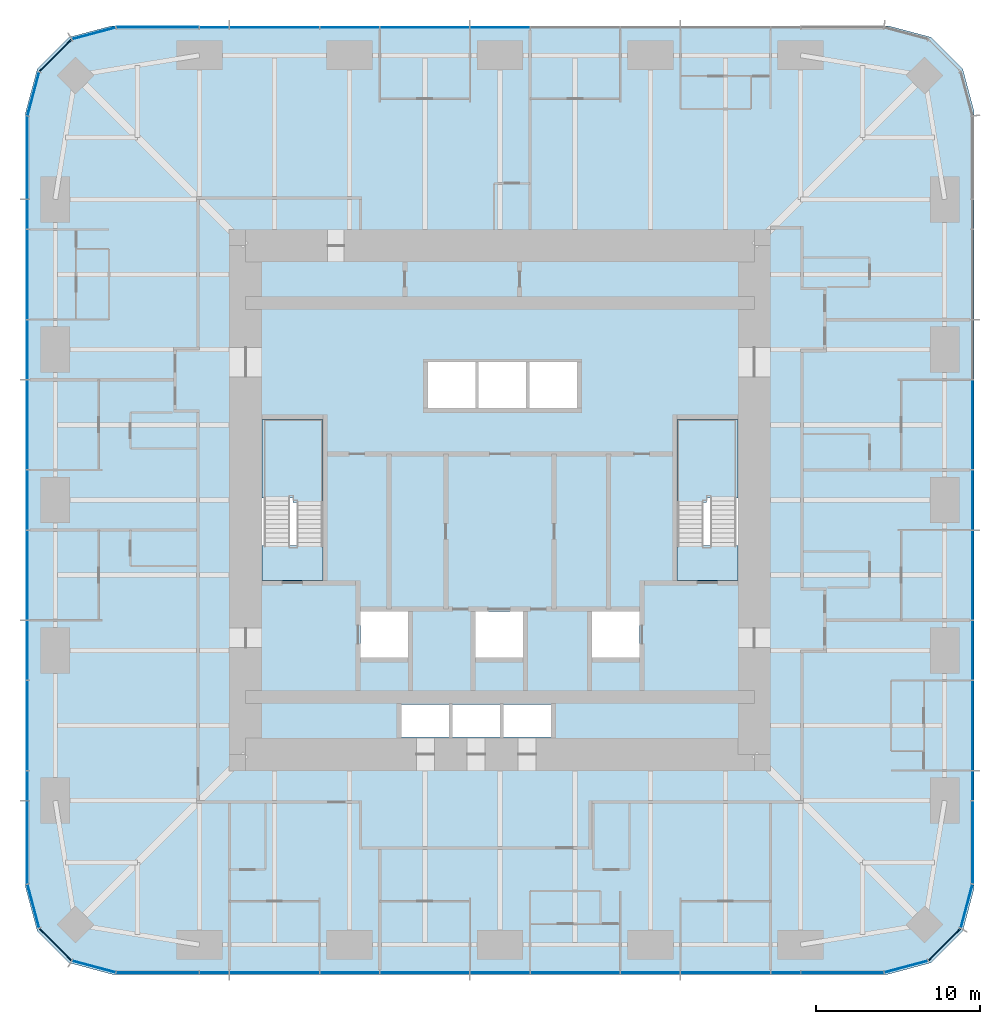
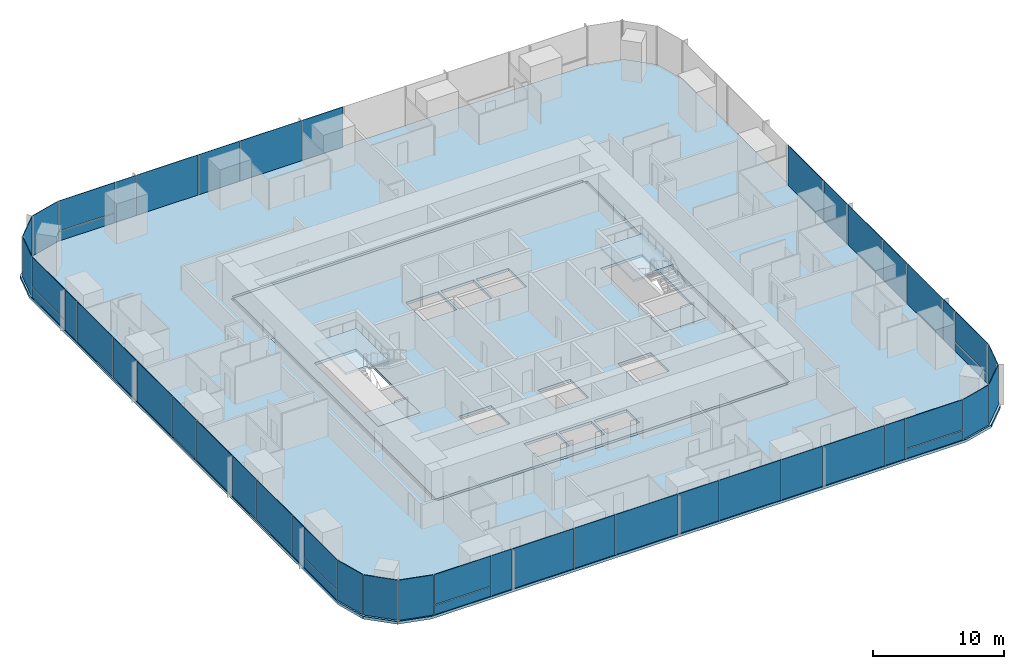
# One storey, part 7 of 13: 50 plates, 6 slabs, 9 elements without a shape of their own.
"""IFC4 building model written with IfcOpenShell, lengths in metres."""

from ifc_helpers import new_model, si_unit, direction, frame, origin, origin_2d, place, context, subcontext, project, spatial, polyline, rectangle, outline, extrude, material, layer, layer_set, type_object, element, aggregate, save


model = new_model("IFC4")

# Units and contexts
model_context = context("Model", 3, precision=1e-05, world=origin(), true_north=direction((0.0, 1.0)))
body_context = subcontext(model_context, "Body", "Model", "MODEL_VIEW")
ifc_project = project(units=[si_unit("LENGTHUNIT", "METRE"), si_unit("AREAUNIT", "SQUARE_METRE"), si_unit("VOLUMEUNIT", "CUBIC_METRE"), si_unit("PLANEANGLEUNIT", "RADIAN"), si_unit("MASSUNIT", "GRAM", prefix="KILO")], contexts=[model_context])

# Site, building, storey
site_placement = place(None, origin())
site = spatial("IfcSite", under=ifc_project, at=site_placement, CompositionType="ELEMENT")
building_placement = place(site_placement, origin())
building = spatial("IfcBuilding", under=site, at=building_placement, Name="Khuree Lantern Residences", CompositionType="ELEMENT")
storey_placement = place(building_placement, frame((0.0, 0.0, 137.25)))
storey = spatial("IfcBuildingStorey", under=building, at=storey_placement, Name="L34", CompositionType="ELEMENT", Elevation=137.25)

# Slab
ifc_material_1 = material(Name="Concrete C35/45", Category="concrete")
ifc_layer_1 = layer(ifc_material_1, 0.25)
ifc_layer_set_1 = layer_set([ifc_layer_1], Name="CFL250 CORE FLOOR SLAB 250")
slab_type_1 = type_object("IfcSlabType", Name="CFL250 CORE FLOOR SLAB 250", PredefinedType="FLOOR", material=ifc_layer_set_1)
slab_1_placement = place(storey_placement, frame((0.0, 0.0, -0.25)))
element("IfcSlab", 1, at=slab_1_placement, inside=storey, type_object=slab_type_1, Name="Core floor L34", PredefinedType="FLOOR", context=body_context, shape_type="SweptSolid", body=[
    extrude(outline(polyline([(-15.5, -15.5), (-15.5, 15.5), (15.5, 15.5), (15.5, -15.5), (-15.5, -15.5)]), holes=[polyline([(10.800048828125, 4.89990234375), (10.800048828125, -4.89990234375), (14.5, -4.89990234375), (14.5, 4.89990234375), (10.800048828125, 4.89990234375)]), polyline([(8.5, -6.800048828125), (5.60009765625, -6.800048828125), (5.60009765625, -9.60009765625), (8.5, -9.60009765625), (8.5, -6.800048828125)]), polyline([(4.699951171875, 8.39990234375), (1.800048828125, 8.39990234375), (1.800048828125, 5.60009765625), (4.699951171875, 5.60009765625), (4.699951171875, 8.39990234375)]), polyline([(3.10009765625, -12.449951171875), (0.199951171875, -12.449951171875), (0.199951171875, -14.449951171875), (3.10009765625, -14.449951171875), (3.10009765625, -12.449951171875)]), polyline([(1.60009765625, 8.39990234375), (-1.300048828125, 8.39990234375), (-1.300048828125, 5.60009765625), (1.60009765625, 5.60009765625), (1.60009765625, 8.39990234375)]), polyline([(1.39990234375, -6.800048828125), (-1.5, -6.800048828125), (-1.5, -9.60009765625), (1.39990234375, -9.60009765625), (1.39990234375, -6.800048828125)]), polyline([(-2.89990234375, -12.449951171875), (-2.89990234375, -14.449951171875), (0.0, -14.449951171875), (0.0, -12.449951171875), (-2.89990234375, -12.449951171875)]), polyline([(-4.39990234375, 8.39990234375), (-4.39990234375, 5.60009765625), (-1.5, 5.60009765625), (-1.5, 8.39990234375), (-4.39990234375, 8.39990234375)]), polyline([(-6.0, -12.449951171875), (-6.0, -14.449951171875), (-3.10009765625, -14.449951171875), (-3.10009765625, -12.449951171875), (-6.0, -12.449951171875)]), polyline([(-8.5, -6.800048828125), (-8.5, -9.60009765625), (-5.60009765625, -9.60009765625), (-5.60009765625, -6.800048828125), (-8.5, -6.800048828125)]), polyline([(-10.800048828125, 4.89990234375), (-14.5, 4.89990234375), (-14.5, -4.89990234375), (-10.800048828125, -4.89990234375), (-10.800048828125, 4.89990234375)])]), origin(), (0.0, 0.0, 1.0), 0.25),
])

# Curtain wall, plates
ifc_material_2 = material(Name="Bronze anodised aluminium", Category="aluminium")
curtain_wall_type_1 = type_object("IfcCurtainWallType", Name="CW-T2 TOWER CORNER CURTAIN WALL", PredefinedType="USERDEFINED", material=ifc_material_2)
curtain_wall_1_placement = place(storey_placement, origin())
curtain_wall_1 = element("IfcCurtainWall", 2, at=curtain_wall_1_placement, inside=storey, type_object=curtain_wall_type_1, Name="L34 SOUTH-EAST CORNER CURTAIN WALL", ObjectType="Faceted corner curtain wall", PredefinedType="USERDEFINED")
ifc_material_3 = material(Name="Bronze tinted triple glazing", Category="glass")
ifc_layer_2 = layer(ifc_material_3, 0.048095703125)
ifc_layer_set_2 = layer_set([ifc_layer_2], Name="FACET PANEL P4")
plate_type_1 = type_object("IfcPlateType", Name="FACET PANEL P4", PredefinedType="CURTAIN_PANEL", material=ifc_layer_set_2)
plate_1_placement = place(storey_placement, frame((24.748046875, -28.438720703125, 0.0), z_axis=(0.0, 0.0, 1.0), x_axis=(0.965925810153, 0.258819105321, 0.0)))
plate_1 = element("IfcPlate", 3, at=plate_1_placement, type_object=plate_type_1, Name="L34 SOUTH-EAST CORNER PANEL 1.1", PredefinedType="CURTAIN_PANEL", context=body_context, shape_type="SweptSolid", body=[
    extrude(rectangle(XDim=2.71923828125, YDim=0.048095703125, at=origin_2d()), origin(), (0.0, 0.0, 1.0), 3.75),
])
plate_2_placement = place(storey_placement, frame((27.08837890625, -27.08837890625, 0.0), z_axis=(0.0, 0.0, 1.0), x_axis=(0.707106781187, 0.707106781187, 0.0)))
plate_2 = element("IfcPlate", 4, at=plate_2_placement, type_object=plate_type_1, Name="L34 SOUTH-EAST CORNER PANEL 2.1", PredefinedType="CURTAIN_PANEL", context=body_context, shape_type="SweptSolid", body=[
    extrude(rectangle(XDim=2.715087890625, YDim=0.048095703125, at=origin_2d()), origin(), (0.0, 0.0, 1.0), 3.75),
])
plate_3_placement = place(storey_placement, frame((28.438720703125, -24.748046875, 0.0), z_axis=(0.0, 0.0, 1.0), x_axis=(0.258819105321, 0.965925810153, 0.0)))
plate_3 = element("IfcPlate", 5, at=plate_3_placement, type_object=plate_type_1, Name="L34 SOUTH-EAST CORNER PANEL 3.1", PredefinedType="CURTAIN_PANEL", context=body_context, shape_type="SweptSolid", body=[
    extrude(rectangle(XDim=2.71923828125, YDim=0.048095703125, at=origin_2d()), origin(), (0.0, 0.0, 1.0), 3.75),
])
aggregate(curtain_wall_1, [plate_1, plate_2, plate_3])

curtain_wall_2_placement = place(storey_placement, origin())
curtain_wall_2 = element("IfcCurtainWall", 6, at=curtain_wall_2_placement, inside=storey, type_object=curtain_wall_type_1, Name="L34 NORTH-WEST CORNER CURTAIN WALL", ObjectType="Faceted corner curtain wall", PredefinedType="USERDEFINED")
plate_4_placement = place(storey_placement, frame((-24.748046875, 28.438720703125, 0.0), z_axis=(0.0, 0.0, 1.0), x_axis=(-0.965925810153, -0.258819105321, 0.0)))
plate_4 = element("IfcPlate", 7, at=plate_4_placement, type_object=plate_type_1, Name="L34 NORTH-WEST CORNER PANEL 29.1", PredefinedType="CURTAIN_PANEL", context=body_context, shape_type="SweptSolid", body=[
    extrude(rectangle(XDim=2.71923828125, YDim=0.048095703125, at=origin_2d()), origin(), (0.0, 0.0, 1.0), 3.75),
])
plate_5_placement = place(storey_placement, frame((-27.08837890625, 27.08837890625, 0.0), z_axis=(0.0, 0.0, 1.0), x_axis=(-0.707106781187, -0.707106781187, 0.0)))
plate_5 = element("IfcPlate", 8, at=plate_5_placement, type_object=plate_type_1, Name="L34 NORTH-WEST CORNER PANEL 30.1", PredefinedType="CURTAIN_PANEL", context=body_context, shape_type="SweptSolid", body=[
    extrude(rectangle(XDim=2.715087890625, YDim=0.048095703125, at=origin_2d()), origin(), (0.0, 0.0, 1.0), 3.75),
])
plate_6_placement = place(storey_placement, frame((-28.438720703125, 24.748046875, 0.0), z_axis=(0.0, 0.0, 1.0), x_axis=(-0.258819105321, -0.965925810153, 0.0)))
plate_6 = element("IfcPlate", 9, at=plate_6_placement, type_object=plate_type_1, Name="L34 NORTH-WEST CORNER PANEL 31.1", PredefinedType="CURTAIN_PANEL", context=body_context, shape_type="SweptSolid", body=[
    extrude(rectangle(XDim=2.71923828125, YDim=0.048095703125, at=origin_2d()), origin(), (0.0, 0.0, 1.0), 3.75),
])
aggregate(curtain_wall_2, [plate_4, plate_5, plate_6])

curtain_wall_3_placement = place(storey_placement, origin())
curtain_wall_3 = element("IfcCurtainWall", 10, at=curtain_wall_3_placement, inside=storey, type_object=curtain_wall_type_1, Name="L34 SOUTH-WEST CORNER CURTAIN WALL", ObjectType="Faceted corner curtain wall", PredefinedType="USERDEFINED")
plate_7_placement = place(storey_placement, frame((-28.438720703125, -24.748046875, 0.0), z_axis=(0.0, 0.0, 1.0), x_axis=(0.258819105321, -0.965925810153, 0.0)))
plate_7 = element("IfcPlate", 11, at=plate_7_placement, type_object=plate_type_1, Name="L34 SOUTH-WEST CORNER PANEL 43.1", PredefinedType="CURTAIN_PANEL", context=body_context, shape_type="SweptSolid", body=[
    extrude(rectangle(XDim=2.71923828125, YDim=0.048095703125, at=origin_2d()), origin(), (0.0, 0.0, 1.0), 3.75),
])
plate_8_placement = place(storey_placement, frame((-27.08837890625, -27.08837890625, 0.0), z_axis=(0.0, 0.0, 1.0), x_axis=(0.707106781187, -0.707106781187, 0.0)))
plate_8 = element("IfcPlate", 12, at=plate_8_placement, type_object=plate_type_1, Name="L34 SOUTH-WEST CORNER PANEL 44.1", PredefinedType="CURTAIN_PANEL", context=body_context, shape_type="SweptSolid", body=[
    extrude(rectangle(XDim=2.715087890625, YDim=0.048095703125, at=origin_2d()), origin(), (0.0, 0.0, 1.0), 3.75),
])
plate_9_placement = place(storey_placement, frame((-24.748046875, -28.438720703125, 0.0), z_axis=(0.0, 0.0, 1.0), x_axis=(0.965925810153, -0.258819105321, 0.0)))
plate_9 = element("IfcPlate", 13, at=plate_9_placement, type_object=plate_type_1, Name="L34 SOUTH-WEST CORNER PANEL 45.1", PredefinedType="CURTAIN_PANEL", context=body_context, shape_type="SweptSolid", body=[
    extrude(rectangle(XDim=2.71923828125, YDim=0.048095703125, at=origin_2d()), origin(), (0.0, 0.0, 1.0), 3.75),
])
aggregate(curtain_wall_3, [plate_7, plate_8, plate_9])

curtain_wall_type_2 = type_object("IfcCurtainWallType", Name="CW-T1 TOWER FACE CURTAIN WALL", PredefinedType="USERDEFINED", material=ifc_material_2)
curtain_wall_4_placement = place(storey_placement, origin())
curtain_wall_4 = element("IfcCurtainWall", 14, at=curtain_wall_4_placement, inside=storey, type_object=curtain_wall_type_2, Name="L34 EAST FACE CURTAIN WALL", ObjectType="Stick-built curtain wall", PredefinedType="USERDEFINED")
ifc_material_4 = material(Name="Bronze tinted triple glazing with a ceramic-fritted spandrel band", Category="glass")
ifc_layer_3 = layer(ifc_material_4, 0.048095703125)
ifc_layer_set_3 = layer_set([ifc_layer_3], Name="FIXED LIGHT PANEL P11")
plate_type_2 = type_object("IfcPlateType", Name="FIXED LIGHT PANEL P11", PredefinedType="CURTAIN_PANEL", material=ifc_layer_set_3)
plate_10_placement = place(storey_placement, frame((28.800048828125, -13.739990234375, 0.0), z_axis=(0.0, 0.0, 1.0), x_axis=(0.0, 1.0, 0.0)))
plate_10 = element("IfcPlate", 15, at=plate_10_placement, type_object=plate_type_2, Name="L34 EAST FACE PANEL 6.1", PredefinedType="CURTAIN_PANEL", context=body_context, shape_type="SweptSolid", body=[
    extrude(rectangle(XDim=5.430908203125, YDim=0.048095703125, at=origin_2d()), origin(), (0.0, 0.0, 1.0), 3.75),
])
plate_11_placement = place(storey_placement, frame((28.800048828125, -4.580078125, 0.0), z_axis=(0.0, 0.0, 1.0), x_axis=(0.0, 1.0, 0.0)))
plate_11 = element("IfcPlate", 16, at=plate_11_placement, type_object=plate_type_2, Name="L34 EAST FACE PANEL 8.1", PredefinedType="CURTAIN_PANEL", context=body_context, shape_type="SweptSolid", body=[
    extrude(rectangle(XDim=5.430908203125, YDim=0.048095703125, at=origin_2d()), origin(), (0.0, 0.0, 1.0), 3.75),
])
plate_12_placement = place(storey_placement, frame((28.800048828125, 4.580078125, 0.0), z_axis=(0.0, 0.0, 1.0), x_axis=(0.0, 1.0, 0.0)))
plate_12 = element("IfcPlate", 17, at=plate_12_placement, type_object=plate_type_2, Name="L34 EAST FACE PANEL 10.1", PredefinedType="CURTAIN_PANEL", context=body_context, shape_type="SweptSolid", body=[
    extrude(rectangle(XDim=5.430908203125, YDim=0.048095703125, at=origin_2d()), origin(), (0.0, 0.0, 1.0), 3.75),
])

curtain_wall_5_placement = place(storey_placement, origin())
curtain_wall_5 = element("IfcCurtainWall", 18, at=curtain_wall_5_placement, inside=storey, type_object=curtain_wall_type_2, Name="L34 NORTH FACE CURTAIN WALL", ObjectType="Stick-built curtain wall", PredefinedType="USERDEFINED")
plate_13_placement = place(storey_placement, frame((-4.580078125, 28.800048828125, 0.0), z_axis=(0.0, 0.0, 1.0), x_axis=(-1.0, 0.0, 0.0)))
plate_13 = element("IfcPlate", 19, at=plate_13_placement, type_object=plate_type_2, Name="L34 NORTH FACE PANEL 24.1", PredefinedType="CURTAIN_PANEL", context=body_context, shape_type="SweptSolid", body=[
    extrude(rectangle(XDim=5.430908203125, YDim=0.048095703125, at=origin_2d()), origin(), (0.0, 0.0, 1.0), 3.75),
])
plate_14_placement = place(storey_placement, frame((-13.739990234375, 28.800048828125, 0.0), z_axis=(0.0, 0.0, 1.0), x_axis=(-1.0, 0.0, 0.0)))
plate_14 = element("IfcPlate", 20, at=plate_14_placement, type_object=plate_type_2, Name="L34 NORTH FACE PANEL 26.1", PredefinedType="CURTAIN_PANEL", context=body_context, shape_type="SweptSolid", body=[
    extrude(rectangle(XDim=5.430908203125, YDim=0.048095703125, at=origin_2d()), origin(), (0.0, 0.0, 1.0), 3.75),
])

curtain_wall_6_placement = place(storey_placement, origin())
curtain_wall_6 = element("IfcCurtainWall", 21, at=curtain_wall_6_placement, inside=storey, type_object=curtain_wall_type_2, Name="L34 WEST FACE CURTAIN WALL", ObjectType="Stick-built curtain wall", PredefinedType="USERDEFINED")
plate_15_placement = place(storey_placement, frame((-28.800048828125, 13.739990234375, 0.0), z_axis=(0.0, 0.0, 1.0), x_axis=(0.0, -1.0, 0.0)))
plate_15 = element("IfcPlate", 22, at=plate_15_placement, type_object=plate_type_2, Name="L34 WEST FACE PANEL 34.1", PredefinedType="CURTAIN_PANEL", context=body_context, shape_type="SweptSolid", body=[
    extrude(rectangle(XDim=5.430908203125, YDim=0.048095703125, at=origin_2d()), origin(), (0.0, 0.0, 1.0), 3.75),
])
plate_16_placement = place(storey_placement, frame((-28.800048828125, 4.580078125, 0.0), z_axis=(0.0, 0.0, 1.0), x_axis=(0.0, -1.0, 0.0)))
plate_16 = element("IfcPlate", 23, at=plate_16_placement, type_object=plate_type_2, Name="L34 WEST FACE PANEL 36.1", PredefinedType="CURTAIN_PANEL", context=body_context, shape_type="SweptSolid", body=[
    extrude(rectangle(XDim=5.430908203125, YDim=0.048095703125, at=origin_2d()), origin(), (0.0, 0.0, 1.0), 3.75),
])
plate_17_placement = place(storey_placement, frame((-28.800048828125, -4.580078125, 0.0), z_axis=(0.0, 0.0, 1.0), x_axis=(0.0, -1.0, 0.0)))
plate_17 = element("IfcPlate", 24, at=plate_17_placement, type_object=plate_type_2, Name="L34 WEST FACE PANEL 38.1", PredefinedType="CURTAIN_PANEL", context=body_context, shape_type="SweptSolid", body=[
    extrude(rectangle(XDim=5.430908203125, YDim=0.048095703125, at=origin_2d()), origin(), (0.0, 0.0, 1.0), 3.75),
])
plate_18_placement = place(storey_placement, frame((-28.800048828125, -13.739990234375, 0.0), z_axis=(0.0, 0.0, 1.0), x_axis=(0.0, -1.0, 0.0)))
plate_18 = element("IfcPlate", 25, at=plate_18_placement, type_object=plate_type_2, Name="L34 WEST FACE PANEL 40.1", PredefinedType="CURTAIN_PANEL", context=body_context, shape_type="SweptSolid", body=[
    extrude(rectangle(XDim=5.430908203125, YDim=0.048095703125, at=origin_2d()), origin(), (0.0, 0.0, 1.0), 3.75),
])

curtain_wall_7_placement = place(storey_placement, origin())
curtain_wall_7 = element("IfcCurtainWall", 26, at=curtain_wall_7_placement, inside=storey, type_object=curtain_wall_type_2, Name="L34 SOUTH FACE CURTAIN WALL", ObjectType="Stick-built curtain wall", PredefinedType="USERDEFINED")
plate_19_placement = place(storey_placement, frame((-13.739990234375, -28.800048828125, 0.0), z_axis=(0.0, 0.0, 1.0), x_axis=(1.0, 0.0, 0.0)))
plate_19 = element("IfcPlate", 27, at=plate_19_placement, type_object=plate_type_2, Name="L34 SOUTH FACE PANEL 48.1", PredefinedType="CURTAIN_PANEL", context=body_context, shape_type="SweptSolid", body=[
    extrude(rectangle(XDim=5.430908203125, YDim=0.048095703125, at=origin_2d()), origin(), (0.0, 0.0, 1.0), 3.75),
])
plate_20_placement = place(storey_placement, frame((-4.580078125, -28.800048828125, 0.0), z_axis=(0.0, 0.0, 1.0), x_axis=(1.0, 0.0, 0.0)))
plate_20 = element("IfcPlate", 28, at=plate_20_placement, type_object=plate_type_2, Name="L34 SOUTH FACE PANEL 50.1", PredefinedType="CURTAIN_PANEL", context=body_context, shape_type="SweptSolid", body=[
    extrude(rectangle(XDim=5.430908203125, YDim=0.048095703125, at=origin_2d()), origin(), (0.0, 0.0, 1.0), 3.75),
])
plate_21_placement = place(storey_placement, frame((4.580078125, -28.800048828125, 0.0), z_axis=(0.0, 0.0, 1.0), x_axis=(1.0, 0.0, 0.0)))
plate_21 = element("IfcPlate", 29, at=plate_21_placement, type_object=plate_type_2, Name="L34 SOUTH FACE PANEL 52.1", PredefinedType="CURTAIN_PANEL", context=body_context, shape_type="SweptSolid", body=[
    extrude(rectangle(XDim=5.430908203125, YDim=0.048095703125, at=origin_2d()), origin(), (0.0, 0.0, 1.0), 3.75),
])
plate_22_placement = place(storey_placement, frame((13.739990234375, -28.800048828125, 0.0), z_axis=(0.0, 0.0, 1.0), x_axis=(1.0, 0.0, 0.0)))
plate_22 = element("IfcPlate", 30, at=plate_22_placement, type_object=plate_type_2, Name="L34 SOUTH FACE PANEL 54.1", PredefinedType="CURTAIN_PANEL", context=body_context, shape_type="SweptSolid", body=[
    extrude(rectangle(XDim=5.430908203125, YDim=0.048095703125, at=origin_2d()), origin(), (0.0, 0.0, 1.0), 3.75),
])

# Slab
ifc_layer_4 = layer(ifc_material_1, 0.25)
ifc_layer_set_4 = layer_set([ifc_layer_4], Name="FS250 FLOOR SLAB 250")
slab_type_2 = type_object("IfcSlabType", Name="FS250 FLOOR SLAB 250", PredefinedType="FLOOR", material=ifc_layer_set_4)
slab_2_placement = place(storey_placement, frame((0.0, 0.0, -0.25)))
element("IfcSlab", 31, at=slab_2_placement, inside=storey, type_object=slab_type_2, Name="Floor slab L34", PredefinedType="FLOOR", context=body_context, shape_type="SweptSolid", body=[
    extrude(outline(polyline([(-26.27490234375, -28.196533203125), (-28.196533203125, -26.27490234375), (-28.89990234375, -23.64990234375), (-28.89990234375, 23.64990234375), (-28.196533203125, 26.27490234375), (-26.27490234375, 28.196533203125), (-23.64990234375, 28.89990234375), (23.64990234375, 28.89990234375), (26.27490234375, 28.196533203125), (28.196533203125, 26.27490234375), (28.89990234375, 23.64990234375), (28.89990234375, -23.64990234375), (28.196533203125, -26.27490234375), (26.27490234375, -28.196533203125), (23.64990234375, -28.89990234375), (-23.64990234375, -28.89990234375), (-26.27490234375, -28.196533203125)]), holes=[polyline([(15.75, 15.5), (15.5, 15.5), (15.5, 15.75), (-15.5, 15.75), (-15.5, 15.5), (-15.75, 15.5), (-15.75, -15.5), (-15.5, -15.5), (-15.5, -15.75), (15.5, -15.75), (15.5, -15.5), (15.75, -15.5), (15.75, 15.5)])]), origin(), (0.0, 0.0, 1.0), 0.25),
])

# Plate
ifc_material_5 = material(Name="Bronze tinted triple glazing, two aluminium-framed sashes in one frame", Category="aluminium")
ifc_layer_5 = layer(ifc_material_5, 0.048095703125)
ifc_layer_set_5 = layer_set([ifc_layer_5], Name="SASH PAIR PANEL P12")
plate_type_3 = type_object("IfcPlateType", Name="SASH PAIR PANEL P12", PredefinedType="CURTAIN_PANEL", material=ifc_layer_set_5)
plate_23_placement = place(storey_placement, frame((28.800048828125, -9.159912109375, 0.0), z_axis=(0.0, 0.0, 1.0), x_axis=(0.0, 1.0, 0.0)))
plate_23 = element("IfcPlate", 32, at=plate_23_placement, type_object=plate_type_3, Name="L34 EAST FACE PANEL 7.1", PredefinedType="CURTAIN_PANEL", context=body_context, shape_type="SweptSolid", body=[
    extrude(rectangle(XDim=3.59912109375, YDim=0.048095703125, at=origin_2d()), origin(), (0.0, 0.0, 1.0), 3.75),
])

plate_24_placement = place(storey_placement, frame((28.800048828125, 0.0, 0.0), z_axis=(0.0, 0.0, 1.0), x_axis=(0.0, 1.0, 0.0)))
plate_24 = element("IfcPlate", 33, at=plate_24_placement, type_object=plate_type_3, Name="L34 EAST FACE PANEL 9.1", PredefinedType="CURTAIN_PANEL", context=body_context, shape_type="SweptSolid", body=[
    extrude(rectangle(XDim=3.59912109375, YDim=0.048095703125, at=origin_2d()), origin(), (0.0, 0.0, 1.0), 3.75),
])

plate_25_placement = place(storey_placement, frame((0.0, 28.800048828125, 0.0), z_axis=(0.0, 0.0, 1.0), x_axis=(-1.0, 0.0, 0.0)))
plate_25 = element("IfcPlate", 34, at=plate_25_placement, type_object=plate_type_3, Name="L34 NORTH FACE PANEL 23.1", PredefinedType="CURTAIN_PANEL", context=body_context, shape_type="SweptSolid", body=[
    extrude(rectangle(XDim=3.59912109375, YDim=0.048095703125, at=origin_2d()), origin(), (0.0, 0.0, 1.0), 3.75),
])

plate_26_placement = place(storey_placement, frame((-9.159912109375, 28.800048828125, 0.0), z_axis=(0.0, 0.0, 1.0), x_axis=(-1.0, 0.0, 0.0)))
plate_26 = element("IfcPlate", 35, at=plate_26_placement, type_object=plate_type_3, Name="L34 NORTH FACE PANEL 25.1", PredefinedType="CURTAIN_PANEL", context=body_context, shape_type="SweptSolid", body=[
    extrude(rectangle(XDim=3.59912109375, YDim=0.048095703125, at=origin_2d()), origin(), (0.0, 0.0, 1.0), 3.75),
])

plate_27_placement = place(storey_placement, frame((-28.800048828125, 9.159912109375, 0.0), z_axis=(0.0, 0.0, 1.0), x_axis=(0.0, -1.0, 0.0)))
plate_27 = element("IfcPlate", 36, at=plate_27_placement, type_object=plate_type_3, Name="L34 WEST FACE PANEL 35.1", PredefinedType="CURTAIN_PANEL", context=body_context, shape_type="SweptSolid", body=[
    extrude(rectangle(XDim=3.59912109375, YDim=0.048095703125, at=origin_2d()), origin(), (0.0, 0.0, 1.0), 3.75),
])

plate_28_placement = place(storey_placement, frame((-28.800048828125, 0.0, 0.0), z_axis=(0.0, 0.0, 1.0), x_axis=(0.0, -1.0, 0.0)))
plate_28 = element("IfcPlate", 37, at=plate_28_placement, type_object=plate_type_3, Name="L34 WEST FACE PANEL 37.1", PredefinedType="CURTAIN_PANEL", context=body_context, shape_type="SweptSolid", body=[
    extrude(rectangle(XDim=3.59912109375, YDim=0.048095703125, at=origin_2d()), origin(), (0.0, 0.0, 1.0), 3.75),
])

plate_29_placement = place(storey_placement, frame((-28.800048828125, -9.159912109375, 0.0), z_axis=(0.0, 0.0, 1.0), x_axis=(0.0, -1.0, 0.0)))
plate_29 = element("IfcPlate", 38, at=plate_29_placement, type_object=plate_type_3, Name="L34 WEST FACE PANEL 39.1", PredefinedType="CURTAIN_PANEL", context=body_context, shape_type="SweptSolid", body=[
    extrude(rectangle(XDim=3.59912109375, YDim=0.048095703125, at=origin_2d()), origin(), (0.0, 0.0, 1.0), 3.75),
])

plate_30_placement = place(storey_placement, frame((-9.159912109375, -28.800048828125, 0.0), z_axis=(0.0, 0.0, 1.0), x_axis=(1.0, 0.0, 0.0)))
plate_30 = element("IfcPlate", 39, at=plate_30_placement, type_object=plate_type_3, Name="L34 SOUTH FACE PANEL 49.1", PredefinedType="CURTAIN_PANEL", context=body_context, shape_type="SweptSolid", body=[
    extrude(rectangle(XDim=3.59912109375, YDim=0.048095703125, at=origin_2d()), origin(), (0.0, 0.0, 1.0), 3.75),
])

plate_31_placement = place(storey_placement, frame((0.0, -28.800048828125, 0.0), z_axis=(0.0, 0.0, 1.0), x_axis=(1.0, 0.0, 0.0)))
plate_31 = element("IfcPlate", 40, at=plate_31_placement, type_object=plate_type_3, Name="L34 SOUTH FACE PANEL 51.1", PredefinedType="CURTAIN_PANEL", context=body_context, shape_type="SweptSolid", body=[
    extrude(rectangle(XDim=3.59912109375, YDim=0.048095703125, at=origin_2d()), origin(), (0.0, 0.0, 1.0), 3.75),
])

plate_32_placement = place(storey_placement, frame((9.159912109375, -28.800048828125, 0.0), z_axis=(0.0, 0.0, 1.0), x_axis=(1.0, 0.0, 0.0)))
plate_32 = element("IfcPlate", 41, at=plate_32_placement, type_object=plate_type_3, Name="L34 SOUTH FACE PANEL 53.1", PredefinedType="CURTAIN_PANEL", context=body_context, shape_type="SweptSolid", body=[
    extrude(rectangle(XDim=3.59912109375, YDim=0.048095703125, at=origin_2d()), origin(), (0.0, 0.0, 1.0), 3.75),
])

ifc_material_6 = material(Name="Bronze tinted triple glazing, aluminium-framed sash", Category="aluminium")
ifc_layer_6 = layer(ifc_material_6, 0.048095703125)
ifc_layer_set_6 = layer_set([ifc_layer_6], Name="SASH PANEL P3")
plate_type_4 = type_object("IfcPlateType", Name="SASH PANEL P3", PredefinedType="CURTAIN_PANEL", material=ifc_layer_set_6)
plate_33_placement = place(storey_placement, frame((28.800048828125, -17.404052734375, 0.0), z_axis=(0.0, 0.0, 1.0), x_axis=(0.0, 1.0, 0.0)))
plate_33 = element("IfcPlate", 42, at=plate_33_placement, type_object=plate_type_4, Name="L34 EAST FACE PANEL 5.1", PredefinedType="CURTAIN_PANEL", context=body_context, shape_type="SweptSolid", body=[
    extrude(rectangle(XDim=1.76708984375, YDim=0.048095703125, at=origin_2d()), origin(), (0.0, 0.0, 1.0), 3.75),
])

plate_34_placement = place(storey_placement, frame((-17.404052734375, 28.800048828125, 0.0), z_axis=(0.0, 0.0, 1.0), x_axis=(-1.0, 0.0, 0.0)))
plate_34 = element("IfcPlate", 43, at=plate_34_placement, type_object=plate_type_4, Name="L34 NORTH FACE PANEL 27.1", PredefinedType="CURTAIN_PANEL", context=body_context, shape_type="SweptSolid", body=[
    extrude(rectangle(XDim=1.76708984375, YDim=0.048095703125, at=origin_2d()), origin(), (0.0, 0.0, 1.0), 3.75),
])

plate_35_placement = place(storey_placement, frame((-28.800048828125, 17.404052734375, 0.0), z_axis=(0.0, 0.0, 1.0), x_axis=(0.0, -1.0, 0.0)))
plate_35 = element("IfcPlate", 44, at=plate_35_placement, type_object=plate_type_4, Name="L34 WEST FACE PANEL 33.1", PredefinedType="CURTAIN_PANEL", context=body_context, shape_type="SweptSolid", body=[
    extrude(rectangle(XDim=1.76708984375, YDim=0.048095703125, at=origin_2d()), origin(), (0.0, 0.0, 1.0), 3.75),
])

plate_36_placement = place(storey_placement, frame((-28.800048828125, -17.404052734375, 0.0), z_axis=(0.0, 0.0, 1.0), x_axis=(0.0, -1.0, 0.0)))
plate_36 = element("IfcPlate", 45, at=plate_36_placement, type_object=plate_type_4, Name="L34 WEST FACE PANEL 41.1", PredefinedType="CURTAIN_PANEL", context=body_context, shape_type="SweptSolid", body=[
    extrude(rectangle(XDim=1.76708984375, YDim=0.048095703125, at=origin_2d()), origin(), (0.0, 0.0, 1.0), 3.75),
])

plate_37_placement = place(storey_placement, frame((-17.404052734375, -28.800048828125, 0.0), z_axis=(0.0, 0.0, 1.0), x_axis=(1.0, 0.0, 0.0)))
plate_37 = element("IfcPlate", 46, at=plate_37_placement, type_object=plate_type_4, Name="L34 SOUTH FACE PANEL 47.1", PredefinedType="CURTAIN_PANEL", context=body_context, shape_type="SweptSolid", body=[
    extrude(rectangle(XDim=1.76708984375, YDim=0.048095703125, at=origin_2d()), origin(), (0.0, 0.0, 1.0), 3.75),
])

plate_38_placement = place(storey_placement, frame((17.404052734375, -28.800048828125, 0.0), z_axis=(0.0, 0.0, 1.0), x_axis=(1.0, 0.0, 0.0)))
plate_38 = element("IfcPlate", 47, at=plate_38_placement, type_object=plate_type_4, Name="L34 SOUTH FACE PANEL 55.1", PredefinedType="CURTAIN_PANEL", context=body_context, shape_type="SweptSolid", body=[
    extrude(rectangle(XDim=1.76708984375, YDim=0.048095703125, at=origin_2d()), origin(), (0.0, 0.0, 1.0), 3.75),
])

ifc_material_7 = material(Name="Bronze anodised aluminium insulated spandrel", Category="aluminium")
ifc_layer_7 = layer(ifc_material_7, 0.06005859375)
ifc_layer_set_7 = layer_set([ifc_layer_7], Name="SPANDREL PANEL P2")
plate_type_5 = type_object("IfcPlateType", Name="SPANDREL PANEL P2", PredefinedType="CURTAIN_PANEL", material=ifc_layer_set_7)
plate_39_placement = place(storey_placement, frame((28.800048828125, -20.85791015625, 0.0), z_axis=(0.0, 0.0, 1.0), x_axis=(0.0, 1.0, 0.0)))
plate_39 = element("IfcPlate", 48, at=plate_39_placement, type_object=plate_type_5, Name="L34 EAST FACE PANEL 4.1", PredefinedType="CURTAIN_PANEL", context=body_context, shape_type="SweptSolid", body=[
    extrude(rectangle(XDim=5.0107421875, YDim=0.06005859375, at=origin_2d()), origin(), (0.0, 0.0, 1.0), 0.867431640625),
])

plate_40_placement = place(storey_placement, frame((-20.85791015625, 28.800048828125, 0.0), z_axis=(0.0, 0.0, 1.0), x_axis=(-1.0, 0.0, 0.0)))
plate_40 = element("IfcPlate", 49, at=plate_40_placement, type_object=plate_type_5, Name="L34 NORTH FACE PANEL 28.1", PredefinedType="CURTAIN_PANEL", context=body_context, shape_type="SweptSolid", body=[
    extrude(rectangle(XDim=5.0107421875, YDim=0.06005859375, at=origin_2d()), origin(), (0.0, 0.0, 1.0), 0.867431640625),
])

plate_41_placement = place(storey_placement, frame((-28.800048828125, 20.85791015625, 0.0), z_axis=(0.0, 0.0, 1.0), x_axis=(0.0, -1.0, 0.0)))
plate_41 = element("IfcPlate", 50, at=plate_41_placement, type_object=plate_type_5, Name="L34 WEST FACE PANEL 32.1", PredefinedType="CURTAIN_PANEL", context=body_context, shape_type="SweptSolid", body=[
    extrude(rectangle(XDim=5.0107421875, YDim=0.06005859375, at=origin_2d()), origin(), (0.0, 0.0, 1.0), 0.867431640625),
])

plate_42_placement = place(storey_placement, frame((-28.800048828125, -20.85791015625, 0.0), z_axis=(0.0, 0.0, 1.0), x_axis=(0.0, -1.0, 0.0)))
plate_42 = element("IfcPlate", 51, at=plate_42_placement, type_object=plate_type_5, Name="L34 WEST FACE PANEL 42.1", PredefinedType="CURTAIN_PANEL", context=body_context, shape_type="SweptSolid", body=[
    extrude(rectangle(XDim=5.0107421875, YDim=0.06005859375, at=origin_2d()), origin(), (0.0, 0.0, 1.0), 0.867431640625),
])

plate_43_placement = place(storey_placement, frame((-20.85791015625, -28.800048828125, 0.0), z_axis=(0.0, 0.0, 1.0), x_axis=(1.0, 0.0, 0.0)))
plate_43 = element("IfcPlate", 52, at=plate_43_placement, type_object=plate_type_5, Name="L34 SOUTH FACE PANEL 46.1", PredefinedType="CURTAIN_PANEL", context=body_context, shape_type="SweptSolid", body=[
    extrude(rectangle(XDim=5.0107421875, YDim=0.06005859375, at=origin_2d()), origin(), (0.0, 0.0, 1.0), 0.867431640625),
])

plate_44_placement = place(storey_placement, frame((20.85791015625, -28.800048828125, 0.0), z_axis=(0.0, 0.0, 1.0), x_axis=(1.0, 0.0, 0.0)))
plate_44 = element("IfcPlate", 53, at=plate_44_placement, type_object=plate_type_5, Name="L34 SOUTH FACE PANEL 56.1", PredefinedType="CURTAIN_PANEL", context=body_context, shape_type="SweptSolid", body=[
    extrude(rectangle(XDim=5.0107421875, YDim=0.06005859375, at=origin_2d()), origin(), (0.0, 0.0, 1.0), 0.867431640625),
])

# Stair, slabs
ifc_material_8 = material(Name="Concrete C40/50", Category="concrete")
stair_type = type_object("IfcStairType", Name="STAIR ST1 HALF TURN 3600", PredefinedType="HALF_TURN_STAIR", material=ifc_material_8)
stair_1_placement = place(storey_placement, origin())
stair_1 = element("IfcStair", 54, at=stair_1_placement, inside=storey, type_object=stair_type, Name="Stair ST1", PredefinedType="HALF_TURN_STAIR")
ifc_layer_8 = layer(ifc_material_8, 0.199951171875)
ifc_layer_set_8 = layer_set([ifc_layer_8], Name="STAIR LANDING SL1 200")
slab_type_3 = type_object("IfcSlabType", Name="STAIR LANDING SL1 200", PredefinedType="LANDING", material=ifc_layer_set_8)
slab_3_placement = place(storey_placement, frame((0.0, 0.0, -0.199951171875)))
slab_3 = element("IfcSlab", 55, at=slab_3_placement, type_object=slab_type_3, Name="ST1 landing 1", PredefinedType="LANDING", context=body_context, shape_type="SweptSolid", body=[
    extrude(outline(polyline([(-14.5, -4.89990234375), (-10.800048828125, -4.89990234375), (-10.800048828125, -2.760009765625), (-14.5, -2.760009765625), (-14.5, -4.89990234375)])), origin(), (0.0, 0.0, 1.0), 0.199951171875),
])
slab_4_placement = place(storey_placement, frame((0.0, 0.0, 1.756591796875)))
slab_4 = element("IfcSlab", 56, at=slab_4_placement, type_object=slab_type_3, Name="ST1 landing 2", PredefinedType="LANDING", context=body_context, shape_type="SweptSolid", body=[
    extrude(outline(polyline([(-14.5, 0.1201171875), (-14.5, 4.89990234375), (-10.800048828125, 4.89990234375), (-10.800048828125, -0.159912109375), (-12.60009765625, -0.159912109375), (-12.60009765625, 0.1201171875), (-14.5, 0.1201171875)])), origin(), (0.0, 0.0, 1.0), 0.199951171875),
])
aggregate(stair_1, [slab_3, slab_4])

stair_2_placement = place(storey_placement, origin())
stair_2 = element("IfcStair", 57, at=stair_2_placement, inside=storey, type_object=stair_type, Name="Stair ST2", PredefinedType="HALF_TURN_STAIR")
slab_5_placement = place(storey_placement, frame((0.0, 0.0, -0.199951171875)))
slab_5 = element("IfcSlab", 58, at=slab_5_placement, type_object=slab_type_3, Name="ST2 landing 1", PredefinedType="LANDING", context=body_context, shape_type="SweptSolid", body=[
    extrude(outline(polyline([(10.800048828125, -4.89990234375), (14.5, -4.89990234375), (14.5, -2.760009765625), (10.800048828125, -2.760009765625), (10.800048828125, -4.89990234375)])), origin(), (0.0, 0.0, 1.0), 0.199951171875),
])
slab_6_placement = place(storey_placement, frame((0.0, 0.0, 1.756591796875)))
slab_6 = element("IfcSlab", 59, at=slab_6_placement, type_object=slab_type_3, Name="ST2 landing 2", PredefinedType="LANDING", context=body_context, shape_type="SweptSolid", body=[
    extrude(outline(polyline([(14.5, 4.89990234375), (14.5, 0.1201171875), (12.60009765625, 0.1201171875), (12.60009765625, -0.159912109375), (10.800048828125, -0.159912109375), (10.800048828125, 4.89990234375), (14.5, 4.89990234375)])), origin(), (0.0, 0.0, 1.0), 0.199951171875),
])
aggregate(stair_2, [slab_5, slab_6])

# Plate
ifc_layer_9 = layer(ifc_material_3, 0.048095703125)
ifc_layer_set_9 = layer_set([ifc_layer_9], Name="VISION PANEL P1")
plate_type_6 = type_object("IfcPlateType", Name="VISION PANEL P1", PredefinedType="CURTAIN_PANEL", material=ifc_layer_set_9)
plate_45_placement = place(storey_placement, frame((28.800048828125, -20.8583984375, 0.9326171875), z_axis=(0.0, 0.0, 1.0), x_axis=(0.0, 1.0, 0.0)))
plate_45 = element("IfcPlate", 60, at=plate_45_placement, type_object=plate_type_6, Name="L34 EAST FACE PANEL 4.2", PredefinedType="CURTAIN_PANEL", context=body_context, shape_type="SweptSolid", body=[
    extrude(rectangle(XDim=5.011474609375, YDim=0.048095703125, at=origin_2d()), origin(), (0.0, 0.0, 1.0), 2.8173828125),
])

aggregate(curtain_wall_4, [plate_39, plate_45, plate_33, plate_10, plate_23, plate_11, plate_24, plate_12])

plate_46_placement = place(storey_placement, frame((-20.8583984375, 28.800048828125, 0.9326171875), z_axis=(0.0, 0.0, 1.0), x_axis=(-1.0, 0.0, 0.0)))
plate_46 = element("IfcPlate", 61, at=plate_46_placement, type_object=plate_type_6, Name="L34 NORTH FACE PANEL 28.2", PredefinedType="CURTAIN_PANEL", context=body_context, shape_type="SweptSolid", body=[
    extrude(rectangle(XDim=5.011474609375, YDim=0.048095703125, at=origin_2d()), origin(), (0.0, 0.0, 1.0), 2.8173828125),
])

aggregate(curtain_wall_5, [plate_25, plate_13, plate_26, plate_14, plate_34, plate_40, plate_46])

plate_47_placement = place(storey_placement, frame((-28.800048828125, 20.8583984375, 0.9326171875), z_axis=(0.0, 0.0, 1.0), x_axis=(0.0, -1.0, 0.0)))
plate_47 = element("IfcPlate", 62, at=plate_47_placement, type_object=plate_type_6, Name="L34 WEST FACE PANEL 32.2", PredefinedType="CURTAIN_PANEL", context=body_context, shape_type="SweptSolid", body=[
    extrude(rectangle(XDim=5.011474609375, YDim=0.048095703125, at=origin_2d()), origin(), (0.0, 0.0, 1.0), 2.8173828125),
])

plate_48_placement = place(storey_placement, frame((-28.800048828125, -20.8583984375, 0.9326171875), z_axis=(0.0, 0.0, 1.0), x_axis=(0.0, -1.0, 0.0)))
plate_48 = element("IfcPlate", 63, at=plate_48_placement, type_object=plate_type_6, Name="L34 WEST FACE PANEL 42.2", PredefinedType="CURTAIN_PANEL", context=body_context, shape_type="SweptSolid", body=[
    extrude(rectangle(XDim=5.011474609375, YDim=0.048095703125, at=origin_2d()), origin(), (0.0, 0.0, 1.0), 2.8173828125),
])

aggregate(curtain_wall_6, [plate_41, plate_47, plate_35, plate_15, plate_27, plate_16, plate_28, plate_17, plate_29, plate_18, plate_36, plate_42, plate_48])

plate_49_placement = place(storey_placement, frame((-20.8583984375, -28.800048828125, 0.9326171875), z_axis=(0.0, 0.0, 1.0), x_axis=(1.0, 0.0, 0.0)))
plate_49 = element("IfcPlate", 64, at=plate_49_placement, type_object=plate_type_6, Name="L34 SOUTH FACE PANEL 46.2", PredefinedType="CURTAIN_PANEL", context=body_context, shape_type="SweptSolid", body=[
    extrude(rectangle(XDim=5.011474609375, YDim=0.048095703125, at=origin_2d()), origin(), (0.0, 0.0, 1.0), 2.8173828125),
])

plate_50_placement = place(storey_placement, frame((20.8583984375, -28.800048828125, 0.9326171875), z_axis=(0.0, 0.0, 1.0), x_axis=(1.0, 0.0, 0.0)))
plate_50 = element("IfcPlate", 65, at=plate_50_placement, type_object=plate_type_6, Name="L34 SOUTH FACE PANEL 56.2", PredefinedType="CURTAIN_PANEL", context=body_context, shape_type="SweptSolid", body=[
    extrude(rectangle(XDim=5.011474609375, YDim=0.048095703125, at=origin_2d()), origin(), (0.0, 0.0, 1.0), 2.8173828125),
])

aggregate(curtain_wall_7, [plate_43, plate_49, plate_37, plate_19, plate_30, plate_20, plate_31, plate_21, plate_32, plate_22, plate_38, plate_44, plate_50])

save(model, "model.ifc")
